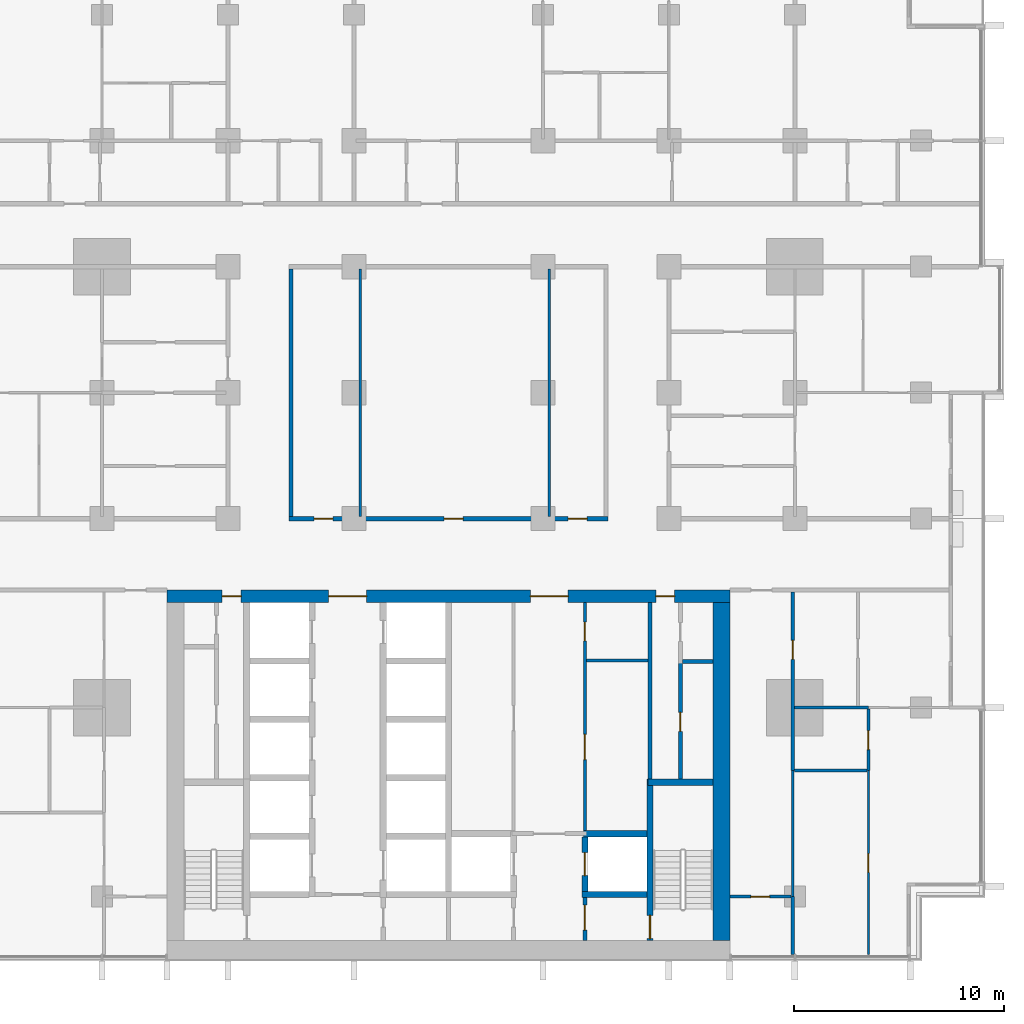
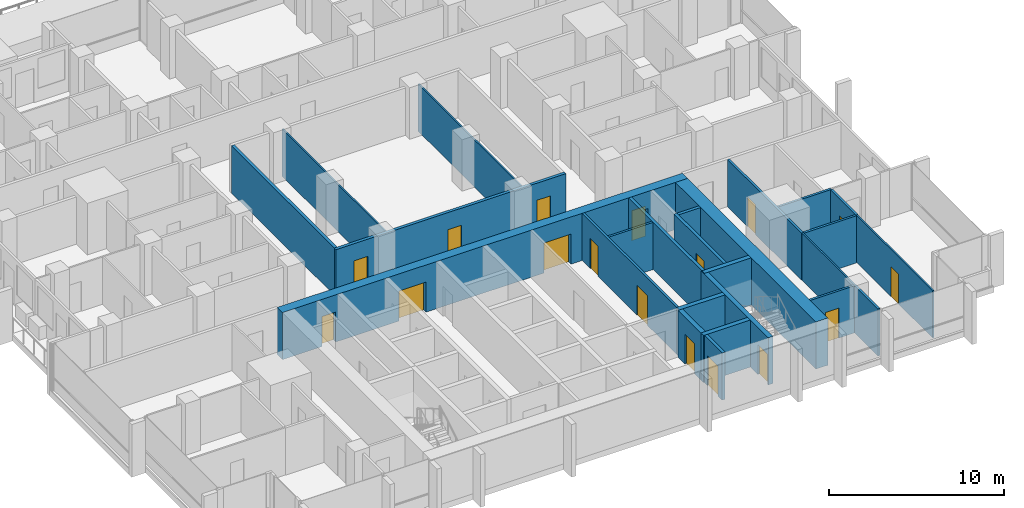
# One storey, part 9 of 19: 25 walls, 17 doors, 17 openings.
"""IFC4 building model written with IfcOpenShell, lengths in metres."""

import ifcopenshell
import ifcopenshell.guid

model = None  # the IFC model being written
_history = None  # IfcOwnerHistory: only IFC2X3 demands one
_inside = {}  # id of a spatial element -> (the spatial element, [elements in it])
_under = {}  # id of a project, library or spatial element -> (it, [spatial elements below it])
_declared = {}  # id of a project -> (the project, [libraries it declares])
_typed = {}  # id of a type object -> (the type object, [elements of that type])
_made_of = {}  # id of a material, layer set ... -> (it, [elements and type objects made of it])


def new_model(schema):
    """Start an empty IFC model of exactly this schema.

    Asked for "IFC4X3", IfcOpenShell would pick the latest addendum, in which some entities
    have other attributes; the version numbers below select the first issue.
    IFC2X3 requires an IfcOwnerHistory on every rooted entity: one is made here for all.
    """
    global model, _history
    if schema == "IFC4X3":
        model = ifcopenshell.file(schema_version=(4, 3, 0, 0))
    else:
        model = ifcopenshell.file(schema=schema)
    _inside.clear()
    _under.clear()
    _declared.clear()
    _typed.clear()
    _made_of.clear()
    _history = None
    if model.schema == "IFC2X3":
        org = make("IfcOrganization", Name="unknown")
        user = make(
            "IfcPersonAndOrganization",
            ThePerson=make("IfcPerson", FamilyName="unknown"),
            TheOrganization=org,
        )
        app = make(
            "IfcApplication",
            ApplicationDeveloper=org,
            Version="unknown",
            ApplicationFullName="unknown",
            ApplicationIdentifier="unknown",
        )
        _history = make(
            "IfcOwnerHistory",
            OwningUser=user,
            OwningApplication=app,
            ChangeAction="ADDED",
            CreationDate=0,
        )
    return model


def make(cls, **values):
    """One entity of the class cls with the attributes given. An attribute that is None is left unset."""
    return model.create_entity(
        cls, **{name: value for name, value in values.items() if value is not None}
    )


def rooted(cls, **values):
    """An entity with a GlobalId (a new one), such as an element, a storey or a relation."""
    return make(cls, GlobalId=ifcopenshell.guid.new(), OwnerHistory=_history, **values)


def si_unit(unit_type, name, prefix=None):
    """IfcSIUnit, for example si_unit("LENGTHUNIT", "METRE", prefix="MILLI")."""
    return make("IfcSIUnit", UnitType=unit_type, Prefix=prefix, Name=name)


def assignment(units):
    """IfcUnitAssignment: the units of a project."""
    return None if units is None else make("IfcUnitAssignment", Units=units)


def point(xyz):
    """IfcCartesianPoint."""
    return None if xyz is None else make("IfcCartesianPoint", Coordinates=xyz)


def direction(xyz):
    """IfcDirection."""
    return None if xyz is None else make("IfcDirection", DirectionRatios=xyz)


def frame(location, z_axis=None, x_axis=None):
    """IfcAxis2Placement3D, a coordinate frame: its origin and axes. An axis left out is left unset."""
    return make(
        "IfcAxis2Placement3D",
        Location=point(location),
        Axis=direction(z_axis),
        RefDirection=direction(x_axis),
    )


def frame_2d(location, x_axis=None):
    """IfcAxis2Placement2D, a coordinate frame in the plane: its origin and x axis."""
    return make(
        "IfcAxis2Placement2D", Location=point(location), RefDirection=direction(x_axis)
    )


def origin():
    """The frame at (0, 0, 0) with its axes left unset."""
    return frame((0.0, 0.0, 0.0))


def place(relative_to, where):
    """IfcLocalPlacement: puts the frame where relative to a parent placement (None: the world)."""
    return make(
        "IfcLocalPlacement", PlacementRelTo=relative_to, RelativePlacement=where
    )


def context(
    kind, dimensions, precision=None, world=None, true_north=None, identifier=None
):
    """IfcGeometricRepresentationContext, for example the 3D "Model" context."""
    return make(
        "IfcGeometricRepresentationContext",
        ContextIdentifier=identifier,
        ContextType=kind,
        CoordinateSpaceDimension=dimensions,
        Precision=precision,
        WorldCoordinateSystem=world,
        TrueNorth=true_north,
    )


def subcontext(parent, identifier, kind, view, scale=None):
    """IfcGeometricRepresentationSubContext, for example "Body" below "Model"."""
    return make(
        "IfcGeometricRepresentationSubContext",
        ContextIdentifier=identifier,
        ContextType=kind,
        ParentContext=parent,
        TargetScale=scale,
        TargetView=view,
    )


def project(units=None, contexts=None):
    """IfcProject with its units and contexts."""
    return rooted(
        "IfcProject",
        Name="project",
        RepresentationContexts=contexts,
        UnitsInContext=assignment(units),
    )


def spatial(cls, under=None, at=None, **own):
    """A site, building, storey or space (cls), placed at a placement, below another one or the project."""
    s = rooted(cls, ObjectPlacement=at, **own)
    if under is not None:
        _under.setdefault(under.id(), (under, []))[1].append(s)
    return s


def profile(cls, at=None, kind="AREA", **sizes):
    """A parametric profile (cls). Its sizes go by their IFC names, for example OverallWidth=200.0."""
    return make(cls, ProfileType=kind, Position=at, **sizes)


def rectangle(**sizes):
    """IfcRectangleProfileDef."""
    return profile("IfcRectangleProfileDef", **sizes)


def extrude(swept, where, along, depth):
    """IfcExtrudedAreaSolid: the profile swept, set in the frame where, extruded along a direction by depth."""
    return make(
        "IfcExtrudedAreaSolid",
        SweptArea=swept,
        Position=where,
        ExtrudedDirection=direction(along),
        Depth=depth,
    )


def shape(context_of_items, identifier, shape_type, items):
    """IfcShapeRepresentation: the items that make up one representation, for example the "Body"."""
    return make(
        "IfcShapeRepresentation",
        ContextOfItems=context_of_items,
        RepresentationIdentifier=identifier,
        RepresentationType=shape_type,
        Items=items,
    )


def material(Name=None, Category=None):
    """IfcMaterial."""
    return make("IfcMaterial", Name=Name, Category=Category)


def layer(
    of_material, thickness, ventilated=None, Name=None, Category=None, Priority=None
):
    """IfcMaterialLayer: one layer of a wall or slab, of a material (None: an air gap)."""
    return make(
        "IfcMaterialLayer",
        Material=of_material,
        LayerThickness=thickness,
        IsVentilated=ventilated,
        Name=Name,
        Category=Category,
        Priority=Priority,
    )


def layer_set(layers, Name=None):
    """IfcMaterialLayerSet."""
    return make("IfcMaterialLayerSet", MaterialLayers=layers, LayerSetName=Name)


def made_of(thing, what):
    """Note that an element or type object is made of a material, layer set ...; save() writes the relation."""
    if what is not None:
        _made_of.setdefault(what.id(), (what, []))[1].append(thing)
    return thing


def type_object(cls, material=None, **own):
    """A type object (cls), such as IfcWallType, which elements share."""
    return made_of(rooted(cls, **own), material)


def element(
    cls,
    number,
    at=None,
    inside=None,
    cuts=None,
    type_object=None,
    material=None,
    context=None,
    identifier="Body",
    shape_type=None,
    held_by="IfcProductDefinitionShape",
    body=None,
    shapes=None,
    **own,
):
    """One element of the class cls, such as IfcWall. Its Tag is "e" and its number.

    at: its placement. inside: the storey or other place that contains it. cuts: it is an
    opening in that element (IfcRelVoidsElement). A single representation is given by context,
    identifier, shape_type and body (its items); several are given by shapes. held_by: the class
    of the entity that holds the representations. save() writes the other relations.
    """
    e = rooted(cls, Tag="e%d" % number, ObjectPlacement=at, **own)
    if body is not None:
        shapes = [shape(context, identifier, shape_type, body)]
    if shapes is not None:
        e.Representation = make(held_by, Representations=shapes)
    if inside is not None:
        _inside.setdefault(inside.id(), (inside, []))[1].append(e)
    if cuts is not None:
        rooted(
            "IfcRelVoidsElement", RelatingBuildingElement=cuts, RelatedOpeningElement=e
        )
    if type_object is not None:
        _typed.setdefault(type_object.id(), (type_object, []))[1].append(e)
    return made_of(e, material)


def fill(opening, filler):
    """IfcRelFillsElement: the door or window that sits in an opening."""
    return rooted(
        "IfcRelFillsElement",
        RelatingOpeningElement=opening,
        RelatedBuildingElement=filler,
    )


def aggregate(whole, parts):
    """IfcRelAggregates: a whole, such as a stair, and the parts it consists of."""
    return rooted("IfcRelAggregates", RelatingObject=whole, RelatedObjects=parts)


def save(model, path):
    """Write the relations noted so far, then the file.

    IfcRelAggregates (storeys below a building ...), IfcRelContainedInSpatialStructure (elements
    in a storey), IfcRelDefinesByType, IfcRelAssociatesMaterial and IfcRelDeclares: one each for
    every whole, place, type object, material and project.
    """
    for whole, parts in _under.values():
        aggregate(whole, parts)
    for where, things in _inside.values():
        rooted(
            "IfcRelContainedInSpatialStructure",
            RelatedElements=things,
            RelatingStructure=where,
        )
    for kind, things in _typed.values():
        rooted("IfcRelDefinesByType", RelatedObjects=things, RelatingType=kind)
    for what, things in _made_of.values():
        rooted("IfcRelAssociatesMaterial", RelatedObjects=things, RelatingMaterial=what)
    for by, libraries in _declared.values():
        rooted("IfcRelDeclares", RelatingContext=by, RelatedDefinitions=libraries)
    model.write(path)


model = new_model("IFC4")

# Units and contexts
model_context = context("Model", 3, precision=1e-05, world=origin(), true_north=direction((0.0, 1.0)))
body_context = subcontext(model_context, "Body", "Model", "MODEL_VIEW")
ifc_project = project(units=[si_unit("LENGTHUNIT", "METRE"), si_unit("AREAUNIT", "SQUARE_METRE"), si_unit("VOLUMEUNIT", "CUBIC_METRE"), si_unit("PLANEANGLEUNIT", "RADIAN"), si_unit("MASSUNIT", "GRAM", prefix="KILO")], contexts=[model_context])

# Site, building, storey
site_placement = place(None, origin())
site = spatial("IfcSite", under=ifc_project, at=site_placement, CompositionType="ELEMENT")
building_placement = place(site_placement, origin())
building = spatial("IfcBuilding", under=site, at=building_placement, Name="Finial Court Residences", CompositionType="ELEMENT")
storey_placement = place(building_placement, frame((0.0, 0.0, 81.10009765625)))
storey = spatial("IfcBuildingStorey", under=building, at=storey_placement, Name="L19", CompositionType="ELEMENT", Elevation=81.10009765625)

# Wall, openings, doors
ifc_material_1 = material(Name="Concrete C70/85", Category="concrete")
ifc_layer_1 = layer(ifc_material_1, 0.60009765625)
ifc_layer_set_1 = layer_set([ifc_layer_1], Name="Core outer wall 600 Concrete C70/85")
wall_type_1 = type_object("IfcWallType", Name="Core outer wall 600 Concrete C70/85", PredefinedType="SHEAR", material=ifc_layer_set_1)
wall_1_placement = place(storey_placement, frame((-13.39990234375, -8.199951171875, 0.0), z_axis=(0.0, 0.0, 1.0), x_axis=(1.0, 0.0, 0.0)))
wall_1 = element("IfcWall", 1, at=wall_1_placement, inside=storey, type_object=wall_type_1, Name="Core outer wall L19-02", PredefinedType="SHEAR", context=body_context, shape_type="SweptSolid", body=[
    extrude(rectangle(XDim=26.7998046875, YDim=0.60009765625, at=frame_2d((13.39990234375, 0.0))), origin(), (0.0, 0.0, 1.0), 3.2998046875),
])
opening_1_placement = place(wall_1_placement, frame((7.699951171875, 0.0, 0.0)))
opening_1 = element("IfcOpeningElement", 2, at=opening_1_placement, cuts=wall_1, Name="Opening L19-C04", PredefinedType="OPENING", context=body_context, shape_type="SweptSolid", body=[
    extrude(rectangle(XDim=1.800048828125, YDim=2.10009765625, at=frame_2d((0.89990234375, 1.050048828125))), frame((0.0, 0.31005859375, 0.0), z_axis=(0.0, -1.0, 0.0), x_axis=(1.0, 0.0, 0.0)), (0.0, 0.0, 1.0), 0.6201171875),
])
opening_2_placement = place(wall_1_placement, frame((17.300048828125, 0.0, 0.0)))
opening_2 = element("IfcOpeningElement", 3, at=opening_2_placement, cuts=wall_1, Name="Opening L19-C05", PredefinedType="OPENING", context=body_context, shape_type="SweptSolid", body=[
    extrude(rectangle(XDim=1.800048828125, YDim=2.10009765625, at=frame_2d((0.89990234375, 1.050048828125))), frame((0.0, 0.31005859375, 0.0), z_axis=(0.0, -1.0, 0.0), x_axis=(1.0, 0.0, 0.0)), (0.0, 0.0, 1.0), 0.6201171875),
])
opening_3_placement = place(wall_1_placement, frame((2.625, 0.0, 0.0)))
opening_3 = element("IfcOpeningElement", 4, at=opening_3_placement, cuts=wall_1, Name="Opening L19-C09", PredefinedType="OPENING", context=body_context, shape_type="SweptSolid", body=[
    extrude(rectangle(XDim=0.89990234375, YDim=2.10009765625, at=frame_2d((0.449951171875, 1.050048828125))), frame((0.0, 0.31005859375, 0.0), z_axis=(0.0, -1.0, 0.0), x_axis=(1.0, 0.0, 0.0)), (0.0, 0.0, 1.0), 0.6201171875),
])
opening_4_placement = place(wall_1_placement, frame((23.27490234375, 0.0, 0.0)))
opening_4 = element("IfcOpeningElement", 5, at=opening_4_placement, cuts=wall_1, Name="Opening L19-C10", PredefinedType="OPENING", context=body_context, shape_type="SweptSolid", body=[
    extrude(rectangle(XDim=0.89990234375, YDim=2.10009765625, at=frame_2d((0.449951171875, 1.050048828125))), frame((0.0, 0.31005859375, 0.0), z_axis=(0.0, -1.0, 0.0), x_axis=(1.0, 0.0, 0.0)), (0.0, 0.0, 1.0), 0.6201171875),
])
ifc_material_2 = material(Name="Steel fire door", Category="steel")
door_type_1 = type_object("IfcDoorType", Name="Lift lobby door 1800 x 2100 EI 60", OperationType="DOUBLE_DOOR_SINGLE_SWING", PredefinedType="DOOR", material=ifc_material_2)
door_1_placement = place(opening_1_placement, origin())
door_1 = element("IfcDoor", 6, at=door_1_placement, inside=storey, type_object=door_type_1, Name="Lift lobby door L19-C04", OperationType="DOUBLE_DOOR_SINGLE_SWING", OverallHeight=2.10009765625, OverallWidth=1.800048828125, PredefinedType="DOOR", context=body_context, shape_type="SweptSolid", body=[
    extrude(rectangle(XDim=1.800048828125, YDim=2.10009765625, at=frame_2d((0.89990234375, 1.050048828125))), frame((0.0, 0.02490234375, 0.0), z_axis=(0.0, -1.0, 0.0), x_axis=(1.0, 0.0, 0.0)), (0.0, 0.0, 1.0), 0.050048828125),
])
fill(opening_1, door_1)
door_2_placement = place(opening_2_placement, origin())
door_2 = element("IfcDoor", 7, at=door_2_placement, inside=storey, type_object=door_type_1, Name="Lift lobby door L19-C05", OperationType="DOUBLE_DOOR_SINGLE_SWING", OverallHeight=2.10009765625, OverallWidth=1.800048828125, PredefinedType="DOOR", context=body_context, shape_type="SweptSolid", body=[
    extrude(rectangle(XDim=1.800048828125, YDim=2.10009765625, at=frame_2d((0.89990234375, 1.050048828125))), frame((0.0, 0.02490234375, 0.0), z_axis=(0.0, -1.0, 0.0), x_axis=(1.0, 0.0, 0.0)), (0.0, 0.0, 1.0), 0.050048828125),
])
fill(opening_2, door_2)
door_type_2 = type_object("IfcDoorType", Name="Riser room door 900 x 2100 EI 90", OperationType="NOTDEFINED", PredefinedType="DOOR", material=ifc_material_2)
door_3_placement = place(opening_3_placement, origin())
door_3 = element("IfcDoor", 8, at=door_3_placement, inside=storey, type_object=door_type_2, Name="Riser room door L19-C09", OperationType="SINGLE_SWING_RIGHT", OverallHeight=2.10009765625, OverallWidth=0.89990234375, PredefinedType="DOOR", context=body_context, shape_type="SweptSolid", body=[
    extrude(rectangle(XDim=0.89990234375, YDim=2.10009765625, at=frame_2d((0.449951171875, 1.050048828125))), frame((0.0, 0.02490234375, 0.0), z_axis=(0.0, -1.0, 0.0), x_axis=(1.0, 0.0, 0.0)), (0.0, 0.0, 1.0), 0.050048828125),
])
fill(opening_3, door_3)
door_4_placement = place(opening_4_placement, origin())
door_4 = element("IfcDoor", 9, at=door_4_placement, inside=storey, type_object=door_type_2, Name="Riser room door L19-C10", OperationType="SINGLE_SWING_LEFT", OverallHeight=2.10009765625, OverallWidth=0.89990234375, PredefinedType="DOOR", context=body_context, shape_type="SweptSolid", body=[
    extrude(rectangle(XDim=0.89990234375, YDim=2.10009765625, at=frame_2d((0.449951171875, 1.050048828125))), frame((0.0, 0.02490234375, 0.0), z_axis=(0.0, -1.0, 0.0), x_axis=(1.0, 0.0, 0.0)), (0.0, 0.0, 1.0), 0.050048828125),
])
fill(opening_4, door_4)

# Walls
ifc_layer_2 = layer(ifc_material_1, 0.800048828125)
ifc_layer_set_2 = layer_set([ifc_layer_2], Name="Core outer wall 800 Concrete C70/85")
wall_type_2 = type_object("IfcWallType", Name="Core outer wall 800 Concrete C70/85", PredefinedType="SHEAR", material=ifc_layer_set_2)
wall_2_placement = place(storey_placement, frame((13.0, -24.60009765625, 0.0), z_axis=(0.0, 0.0, 1.0), x_axis=(0.0, 1.0, 0.0)))
element("IfcWall", 10, at=wall_2_placement, inside=storey, type_object=wall_type_2, Name="Core outer wall L19-04", PredefinedType="SHEAR", context=body_context, shape_type="SweptSolid", body=[
    extrude(rectangle(XDim=16.10009765625, YDim=0.800048828125, at=frame_2d((8.050048828125, 0.0))), origin(), (0.0, 0.0, 1.0), 3.2998046875),
])
ifc_material_3 = material(Name="Fire-rated gypsum board partition")
ifc_layer_3 = layer(ifc_material_3, 0.14990234375)
ifc_layer_set_3 = layer_set([ifc_layer_3], Name="Core room partition 150 EI 60")
wall_type_3 = type_object("IfcWallType", Name="Core room partition 150 EI 60", PredefinedType="PARTITIONING", material=ifc_layer_set_3)
wall_3_placement = place(storey_placement, frame((6.574951171875, -11.25, 0.0), z_axis=(0.0, 0.0, 1.0), x_axis=(1.0, 0.0, 0.0)))
element("IfcWall", 11, at=wall_3_placement, inside=storey, type_object=wall_type_3, Name="Core partition L19-19", PredefinedType="PARTITIONING", context=body_context, shape_type="SweptSolid", body=[
    extrude(rectangle(XDim=2.925048828125, YDim=0.14990234375, at=frame_2d((1.46240234375, 0.0))), origin(), (0.0, 0.0, 1.0), 3.2998046875),
])

# Wall, openings, doors
wall_4_placement = place(storey_placement, frame((6.5, -8.5, 0.0), z_axis=(0.0, 0.0, 1.0), x_axis=(0.0, -1.0, 0.0)))
wall_4 = element("IfcWall", 12, at=wall_4_placement, inside=storey, type_object=wall_type_3, Name="Core partition L19-35", PredefinedType="PARTITIONING", context=body_context, shape_type="SweptSolid", body=[
    extrude(rectangle(XDim=10.85009765625, YDim=0.14990234375, at=frame_2d((5.425048828125, 0.0))), origin(), (0.0, 0.0, 1.0), 3.2998046875),
])
opening_5_placement = place(wall_4_placement, frame((6.27490234375, 0.0, 0.0)))
opening_5 = element("IfcOpeningElement", 13, at=opening_5_placement, cuts=wall_4, Name="Opening L19-C15", PredefinedType="OPENING", context=body_context, shape_type="SweptSolid", body=[
    extrude(rectangle(XDim=1.199951171875, YDim=2.10009765625, at=frame_2d((0.60009765625, 1.050048828125))), frame((0.0, 0.0849609375, 0.0), z_axis=(0.0, -1.0, 0.0), x_axis=(1.0, 0.0, 0.0)), (0.0, 0.0, 1.0), 0.169921875),
])
opening_6_placement = place(wall_4_placement, frame((0.925048828125, 0.0, 0.0)))
opening_6 = element("IfcOpeningElement", 14, at=opening_6_placement, cuts=wall_4, Name="Opening L19-C16", PredefinedType="OPENING", context=body_context, shape_type="SweptSolid", body=[
    extrude(rectangle(XDim=0.89990234375, YDim=2.10009765625, at=frame_2d((0.449951171875, 1.050048828125))), frame((0.0, 0.0849609375, 0.0), z_axis=(0.0, -1.0, 0.0), x_axis=(1.0, 0.0, 0.0)), (0.0, 0.0, 1.0), 0.169921875),
])
door_type_3 = type_object("IfcDoorType", Name="Core room door 1200 x 2100 EI 60", OperationType="NOTDEFINED", PredefinedType="DOOR", material=ifc_material_2)
door_5_placement = place(opening_5_placement, origin())
door_5 = element("IfcDoor", 15, at=door_5_placement, inside=storey, type_object=door_type_3, Name="Core room door L19-C15", OperationType="SINGLE_SWING_RIGHT", OverallHeight=2.10009765625, OverallWidth=1.199951171875, PredefinedType="DOOR", context=body_context, shape_type="SweptSolid", body=[
    extrude(rectangle(XDim=1.199951171875, YDim=2.10009765625, at=frame_2d((0.60009765625, 1.050048828125))), frame((0.0, 0.02490234375, 0.0), z_axis=(0.0, -1.0, 0.0), x_axis=(1.0, 0.0, 0.0)), (0.0, 0.0, 1.0), 0.050048828125),
])
fill(opening_5, door_5)
door_type_4 = type_object("IfcDoorType", Name="Core room door 900 x 2100 EI 60", OperationType="NOTDEFINED", PredefinedType="DOOR", material=ifc_material_2)
door_6_placement = place(opening_6_placement, origin())
door_6 = element("IfcDoor", 16, at=door_6_placement, inside=storey, type_object=door_type_4, Name="Core room door L19-C16", OperationType="SINGLE_SWING_RIGHT", OverallHeight=2.10009765625, OverallWidth=0.89990234375, PredefinedType="DOOR", context=body_context, shape_type="SweptSolid", body=[
    extrude(rectangle(XDim=0.89990234375, YDim=2.10009765625, at=frame_2d((0.449951171875, 1.050048828125))), frame((0.0, 0.02490234375, 0.0), z_axis=(0.0, -1.0, 0.0), x_axis=(1.0, 0.0, 0.0)), (0.0, 0.0, 1.0), 0.050048828125),
])
fill(opening_6, door_6)

ifc_material_4 = material(Name="Gypsum board")
ifc_layer_4 = layer(ifc_material_4, 0.02490234375)
ifc_material_5 = material(Name="Acoustic mineral wool in double frame")
ifc_layer_5 = layer(ifc_material_5, 0.14990234375)
ifc_layer_6 = layer(ifc_material_4, 0.02490234375)
ifc_layer_set_4 = layer_set([ifc_layer_4, ifc_layer_5, ifc_layer_6], Name="Corridor wall 200, 1 hour")
wall_type_4 = type_object("IfcWallType", Name="Corridor wall 200, 1 hour", PredefinedType="PARTITIONING", material=ifc_layer_set_4)
wall_5_placement = place(storey_placement, frame((-7.60009765625, -4.5, 0.0), z_axis=(0.0, 0.0, 1.0), x_axis=(1.0, 0.0, 0.0)))
wall_5 = element("IfcWall", 17, at=wall_5_placement, inside=storey, type_object=wall_type_4, Name="Partition L19-012", PredefinedType="PARTITIONING", context=body_context, shape_type="SweptSolid", body=[
    extrude(rectangle(XDim=15.2001953125, YDim=0.199951171875, at=frame_2d((7.60009765625, 0.0))), origin(), (0.0, 0.0, 1.0), 3.2998046875),
])
opening_7_placement = place(wall_5_placement, frame((1.199951171875, 0.0, 0.0)))
opening_7 = element("IfcOpeningElement", 18, at=opening_7_placement, cuts=wall_5, Name="Opening L19-D007", PredefinedType="OPENING", context=body_context, shape_type="SweptSolid", body=[
    extrude(rectangle(XDim=0.89990234375, YDim=2.10009765625, at=frame_2d((0.449951171875, 1.050048828125))), frame((0.0, 0.10986328125, 0.0), z_axis=(0.0, -1.0, 0.0), x_axis=(1.0, 0.0, 0.0)), (0.0, 0.0, 1.0), 0.219970703125),
])
opening_8_placement = place(wall_5_placement, frame((7.39990234375, 0.0, 0.0)))
opening_8 = element("IfcOpeningElement", 19, at=opening_8_placement, cuts=wall_5, Name="Opening L19-D008", PredefinedType="OPENING", context=body_context, shape_type="SweptSolid", body=[
    extrude(rectangle(XDim=0.89990234375, YDim=2.10009765625, at=frame_2d((0.449951171875, 1.050048828125))), frame((0.0, 0.10986328125, 0.0), z_axis=(0.0, -1.0, 0.0), x_axis=(1.0, 0.0, 0.0)), (0.0, 0.0, 1.0), 0.219970703125),
])
opening_9_placement = place(wall_5_placement, frame((13.300048828125, 0.0, 0.0)))
opening_9 = element("IfcOpeningElement", 20, at=opening_9_placement, cuts=wall_5, Name="Opening L19-D009", PredefinedType="OPENING", context=body_context, shape_type="SweptSolid", body=[
    extrude(rectangle(XDim=0.89990234375, YDim=2.10009765625, at=frame_2d((0.449951171875, 1.050048828125))), frame((0.0, 0.10986328125, 0.0), z_axis=(0.0, -1.0, 0.0), x_axis=(1.0, 0.0, 0.0)), (0.0, 0.0, 1.0), 0.219970703125),
])
ifc_material_6 = material(Name="Timber door leaf in hollow metal frame", Category="wood")
door_type_5 = type_object("IfcDoorType", Name="Fire door set 900 x 2100, 30 minutes", OperationType="SINGLE_SWING_LEFT", PredefinedType="DOOR", material=ifc_material_6)
door_7_placement = place(opening_7_placement, origin())
door_7 = element("IfcDoor", 21, at=door_7_placement, inside=storey, type_object=door_type_5, Name="Door L19-D007", OperationType="SINGLE_SWING_RIGHT", OverallHeight=2.10009765625, OverallWidth=0.89990234375, PredefinedType="DOOR", context=body_context, shape_type="SweptSolid", body=[
    extrude(rectangle(XDim=0.89990234375, YDim=2.10009765625, at=frame_2d((0.449951171875, 1.050048828125))), frame((0.0, 0.02490234375, 0.0), z_axis=(0.0, -1.0, 0.0), x_axis=(1.0, 0.0, 0.0)), (0.0, 0.0, 1.0), 0.050048828125),
])
fill(opening_7, door_7)
door_8_placement = place(opening_8_placement, origin())
door_8 = element("IfcDoor", 22, at=door_8_placement, inside=storey, type_object=door_type_5, Name="Door L19-D008", OperationType="SINGLE_SWING_LEFT", OverallHeight=2.10009765625, OverallWidth=0.89990234375, PredefinedType="DOOR", context=body_context, shape_type="SweptSolid", body=[
    extrude(rectangle(XDim=0.89990234375, YDim=2.10009765625, at=frame_2d((0.449951171875, 1.050048828125))), frame((0.0, 0.02490234375, 0.0), z_axis=(0.0, -1.0, 0.0), x_axis=(1.0, 0.0, 0.0)), (0.0, 0.0, 1.0), 0.050048828125),
])
fill(opening_8, door_8)
door_9_placement = place(opening_9_placement, origin())
door_9 = element("IfcDoor", 23, at=door_9_placement, inside=storey, type_object=door_type_5, Name="Door L19-D009", OperationType="SINGLE_SWING_LEFT", OverallHeight=2.10009765625, OverallWidth=0.89990234375, PredefinedType="DOOR", context=body_context, shape_type="SweptSolid", body=[
    extrude(rectangle(XDim=0.89990234375, YDim=2.10009765625, at=frame_2d((0.449951171875, 1.050048828125))), frame((0.0, 0.02490234375, 0.0), z_axis=(0.0, -1.0, 0.0), x_axis=(1.0, 0.0, 0.0)), (0.0, 0.0, 1.0), 0.050048828125),
])
fill(opening_9, door_9)

# Wall
wall_6_placement = place(storey_placement, frame((-7.5, -4.39990234375, 0.0), z_axis=(0.0, 0.0, 1.0), x_axis=(0.0, 1.0, 0.0)))
element("IfcWall", 24, at=wall_6_placement, inside=storey, type_object=wall_type_4, Name="Partition L19-058", PredefinedType="PARTITIONING", context=body_context, shape_type="SweptSolid", body=[
    extrude(rectangle(XDim=11.7998046875, YDim=0.199951171875, at=frame_2d((5.89990234375, 0.0))), origin(), (0.0, 0.0, 1.0), 3.2998046875),
])

# Wall, opening, door
ifc_layer_7 = layer(ifc_material_3, 0.199951171875)
ifc_layer_set_5 = layer_set([ifc_layer_7], Name="Firefighting lobby wall 200 EI 120")
wall_type_5 = type_object("IfcWallType", Name="Firefighting lobby wall 200 EI 120", PredefinedType="PARTITIONING", material=ifc_layer_set_5)
wall_7_placement = place(storey_placement, frame((6.5, -22.550048828125, 0.0), z_axis=(0.0, 0.0, 1.0), x_axis=(0.0, -1.0, 0.0)))
wall_7 = element("IfcWall", 25, at=wall_7_placement, inside=storey, type_object=wall_type_5, Name="Core partition L19-33", PredefinedType="PARTITIONING", context=body_context, shape_type="SweptSolid", body=[
    extrude(rectangle(XDim=2.050048828125, YDim=0.199951171875, at=frame_2d((1.02490234375, 0.0))), origin(), (0.0, 0.0, 1.0), 3.2998046875),
])
opening_10_placement = place(wall_7_placement, frame((0.35009765625, 0.0, 0.0)))
opening_10 = element("IfcOpeningElement", 26, at=opening_10_placement, cuts=wall_7, Name="Opening L19-C01", PredefinedType="OPENING", context=body_context, shape_type="SweptSolid", body=[
    extrude(rectangle(XDim=1.199951171875, YDim=2.10009765625, at=frame_2d((0.60009765625, 1.050048828125))), frame((0.0, 0.10986328125, 0.0), z_axis=(0.0, -1.0, 0.0), x_axis=(1.0, 0.0, 0.0)), (0.0, 0.0, 1.0), 0.219970703125),
])
door_type_6 = type_object("IfcDoorType", Name="Firefighting lobby door 1200 x 2100 EI 90", OperationType="NOTDEFINED", PredefinedType="DOOR", material=ifc_material_2)
door_10_placement = place(opening_10_placement, origin())
door_10 = element("IfcDoor", 27, at=door_10_placement, inside=storey, type_object=door_type_6, Name="Firefighting lobby door L19-C01", OperationType="SINGLE_SWING_RIGHT", OverallHeight=2.10009765625, OverallWidth=1.199951171875, PredefinedType="DOOR", context=body_context, shape_type="SweptSolid", body=[
    extrude(rectangle(XDim=1.199951171875, YDim=2.10009765625, at=frame_2d((0.60009765625, 1.050048828125))), frame((0.0, 0.02490234375, 0.0), z_axis=(0.0, -1.0, 0.0), x_axis=(1.0, 0.0, 0.0)), (0.0, 0.0, 1.0), 0.050048828125),
])
fill(opening_10, door_10)

# Walls
ifc_layer_8 = layer(ifc_material_4, 0.012451171875)
ifc_material_7 = material(Name="Mineral wool in light-gauge frame")
ifc_layer_9 = layer(ifc_material_7, 0.074951171875)
ifc_layer_10 = layer(ifc_material_4, 0.012451171875)
ifc_layer_set_6 = layer_set([ifc_layer_8, ifc_layer_9, ifc_layer_10], Name="Gypsum board partition 100")
wall_type_6 = type_object("IfcWallType", Name="Gypsum board partition 100", PredefinedType="PARTITIONING", material=ifc_layer_set_6)
for number, where, z_axis, x_axis, name in (
    (28, (-4.199951171875, -4.39990234375, 0.0), (0.0, 0.0, 1.0), (0.0, 1.0, 0.0), "Partition L19-061"),
    (29, (4.800048828125, -4.39990234375, 0.0), (0.0, 0.0, 1.0), (0.0, 1.0, 0.0), "Partition L19-066"),
):
    element("IfcWall", number, at=place(storey_placement, frame(where, z_axis=z_axis, x_axis=x_axis)), inside=storey, type_object=wall_type_6, Name=name, PredefinedType="PARTITIONING", context=body_context, shape_type="SweptSolid", body=[
        extrude(rectangle(XDim=11.7998046875, YDim=0.10009765625, at=frame_2d((5.89990234375, 0.0))), origin(), (0.0, 0.0, 1.0), 3.2998046875),
    ])
wall_8_placement = place(storey_placement, frame((16.39990234375, -22.5, 0.0), z_axis=(0.0, 0.0, 1.0), x_axis=(0.0, 1.0, 0.0)))
element("IfcWall", 30, at=wall_8_placement, inside=storey, type_object=wall_type_6, Name="Partition L19-072", PredefinedType="PARTITIONING", context=body_context, shape_type="SweptSolid", body=[
    extrude(rectangle(XDim=6.0, YDim=0.10009765625, at=frame_2d((3.0, 0.0))), origin(), (0.0, 0.0, 1.0), 3.2998046875),
])

# Wall, opening, door
wall_9_placement = place(storey_placement, frame((20.0, -25.25, 0.0), z_axis=(0.0, 0.0, 1.0), x_axis=(0.0, 1.0, 0.0)))
wall_9 = element("IfcWall", 31, at=wall_9_placement, inside=storey, type_object=wall_type_6, Name="Partition L19-084", PredefinedType="PARTITIONING", context=body_context, shape_type="SweptSolid", body=[
    extrude(rectangle(XDim=8.75, YDim=0.10009765625, at=frame_2d((4.375, 0.0))), origin(), (0.0, 0.0, 1.0), 3.2998046875),
])
opening_11_placement = place(wall_9_placement, frame((3.89990234375, 0.0, 0.0)))
opening_11 = element("IfcOpeningElement", 32, at=opening_11_placement, cuts=wall_9, Name="Opening L19-D052", PredefinedType="OPENING", context=body_context, shape_type="SweptSolid", body=[
    extrude(rectangle(XDim=0.89990234375, YDim=2.10009765625, at=frame_2d((0.449951171875, 1.050048828125))), frame((0.0, 0.06005859375, 0.0), z_axis=(0.0, -1.0, 0.0), x_axis=(1.0, 0.0, 0.0)), (0.0, 0.0, 1.0), 0.1201171875),
])
ifc_material_8 = material(Name="Timber door leaf in timber frame", Category="wood")
door_type_7 = type_object("IfcDoorType", Name="Door set 900 x 2100", OperationType="SINGLE_SWING_LEFT", PredefinedType="DOOR", material=ifc_material_8)
door_11_placement = place(opening_11_placement, origin())
door_11 = element("IfcDoor", 33, at=door_11_placement, inside=storey, type_object=door_type_7, Name="Door L19-D052", OperationType="SINGLE_SWING_RIGHT", OverallHeight=2.10009765625, OverallWidth=0.89990234375, PredefinedType="DOOR", context=body_context, shape_type="SweptSolid", body=[
    extrude(rectangle(XDim=0.89990234375, YDim=2.10009765625, at=frame_2d((0.449951171875, 1.050048828125))), frame((0.0, 0.02490234375, 0.0), z_axis=(0.0, -1.0, 0.0), x_axis=(1.0, 0.0, 0.0)), (0.0, 0.0, 1.0), 0.050048828125),
])
fill(opening_11, door_11)

ifc_material_9 = material(Name="Moisture-resistant gypsum board")
ifc_layer_11 = layer(ifc_material_9, 0.012451171875)
ifc_layer_12 = layer(ifc_material_7, 0.125)
ifc_layer_13 = layer(ifc_material_9, 0.012451171875)
ifc_layer_set_7 = layer_set([ifc_layer_11, ifc_layer_12, ifc_layer_13], Name="Gypsum board wet-area partition 150")
wall_type_7 = type_object("IfcWallType", Name="Gypsum board wet-area partition 150", PredefinedType="PARTITIONING", material=ifc_layer_set_7)
wall_10_placement = place(storey_placement, frame((13.39990234375, -22.5, 0.0), z_axis=(0.0, 0.0, 1.0), x_axis=(1.0, 0.0, 0.0)))
wall_10 = element("IfcWall", 34, at=wall_10_placement, inside=storey, type_object=wall_type_7, Name="Partition L19-001", PredefinedType="PARTITIONING", context=body_context, shape_type="SweptSolid", body=[
    extrude(rectangle(XDim=2.925048828125, YDim=0.14990234375, at=frame_2d((1.46240234375, 0.0))), origin(), (0.0, 0.0, 1.0), 3.2998046875),
])
opening_12_placement = place(wall_10_placement, frame((1.0, 0.0, 0.0)))
opening_12 = element("IfcOpeningElement", 35, at=opening_12_placement, cuts=wall_10, Name="Opening L19-D002", PredefinedType="OPENING", context=body_context, shape_type="SweptSolid", body=[
    extrude(rectangle(XDim=0.89990234375, YDim=2.10009765625, at=frame_2d((0.449951171875, 1.050048828125))), frame((0.0, 0.0849609375, 0.0), z_axis=(0.0, -1.0, 0.0), x_axis=(1.0, 0.0, 0.0)), (0.0, 0.0, 1.0), 0.169921875),
])
door_12_placement = place(opening_12_placement, origin())
door_12 = element("IfcDoor", 36, at=door_12_placement, inside=storey, type_object=door_type_7, Name="Door L19-D002", OperationType="SINGLE_SWING_LEFT", OverallHeight=2.10009765625, OverallWidth=0.89990234375, PredefinedType="DOOR", context=body_context, shape_type="SweptSolid", body=[
    extrude(rectangle(XDim=0.89990234375, YDim=2.10009765625, at=frame_2d((0.449951171875, 1.050048828125))), frame((0.0, 0.02490234375, 0.0), z_axis=(0.0, -1.0, 0.0), x_axis=(1.0, 0.0, 0.0)), (0.0, 0.0, 1.0), 0.050048828125),
])
fill(opening_12, door_12)

# Walls
wall_11_placement = place(storey_placement, frame((16.47509765625, -16.5, 0.0), z_axis=(0.0, 0.0, 1.0), x_axis=(1.0, 0.0, 0.0)))
element("IfcWall", 37, at=wall_11_placement, inside=storey, type_object=wall_type_7, Name="Partition L19-004", PredefinedType="PARTITIONING", context=body_context, shape_type="SweptSolid", body=[
    extrude(rectangle(XDim=3.449951171875, YDim=0.14990234375, at=frame_2d((1.72509765625, 0.0))), origin(), (0.0, 0.0, 1.0), 3.2998046875),
])
wall_12_placement = place(storey_placement, frame((16.47509765625, -13.5, 0.0), z_axis=(0.0, 0.0, 1.0), x_axis=(1.0, 0.0, 0.0)))
element("IfcWall", 38, at=wall_12_placement, inside=storey, type_object=wall_type_7, Name="Partition L19-008", PredefinedType="PARTITIONING", context=body_context, shape_type="SweptSolid", body=[
    extrude(rectangle(XDim=3.52490234375, YDim=0.14990234375, at=frame_2d((1.762451171875, 0.0))), origin(), (0.0, 0.0, 1.0), 3.2998046875),
])
wall_13_placement = place(storey_placement, frame((16.39990234375, -25.25, 0.0), z_axis=(0.0, 0.0, 1.0), x_axis=(0.0, 1.0, 0.0)))
element("IfcWall", 39, at=wall_13_placement, inside=storey, type_object=wall_type_7, Name="Partition L19-073", PredefinedType="PARTITIONING", context=body_context, shape_type="SweptSolid", body=[
    extrude(rectangle(XDim=2.75, YDim=0.14990234375, at=frame_2d((1.375, 0.0))), origin(), (0.0, 0.0, 1.0), 3.2998046875),
])

# Wall, opening, door
wall_14_placement = place(storey_placement, frame((16.39990234375, -16.5, 0.0), z_axis=(0.0, 0.0, 1.0), x_axis=(0.0, 1.0, 0.0)))
wall_14 = element("IfcWall", 40, at=wall_14_placement, inside=storey, type_object=wall_type_7, Name="Partition L19-074", PredefinedType="PARTITIONING", context=body_context, shape_type="SweptSolid", body=[
    extrude(rectangle(XDim=8.5, YDim=0.14990234375, at=frame_2d((4.25, 0.0))), origin(), (0.0, 0.0, 1.0), 3.2998046875),
])
opening_13_placement = place(wall_14_placement, frame((5.300048828125, 0.0, 0.0)))
opening_13 = element("IfcOpeningElement", 41, at=opening_13_placement, cuts=wall_14, Name="Opening L19-D047", PredefinedType="OPENING", context=body_context, shape_type="SweptSolid", body=[
    extrude(rectangle(XDim=0.89990234375, YDim=2.10009765625, at=frame_2d((0.449951171875, 1.050048828125))), frame((0.0, 0.0849609375, 0.0), z_axis=(0.0, -1.0, 0.0), x_axis=(1.0, 0.0, 0.0)), (0.0, 0.0, 1.0), 0.169921875),
])
door_13_placement = place(opening_13_placement, origin())
door_13 = element("IfcDoor", 42, at=door_13_placement, inside=storey, type_object=door_type_7, Name="Door L19-D047", OperationType="SINGLE_SWING_RIGHT", OverallHeight=2.10009765625, OverallWidth=0.89990234375, PredefinedType="DOOR", context=body_context, shape_type="SweptSolid", body=[
    extrude(rectangle(XDim=0.89990234375, YDim=2.10009765625, at=frame_2d((0.449951171875, 1.050048828125))), frame((0.0, 0.02490234375, 0.0), z_axis=(0.0, -1.0, 0.0), x_axis=(1.0, 0.0, 0.0)), (0.0, 0.0, 1.0), 0.050048828125),
])
fill(opening_13, door_13)

wall_15_placement = place(storey_placement, frame((20.0, -16.5, 0.0), z_axis=(0.0, 0.0, 1.0), x_axis=(0.0, 1.0, 0.0)))
wall_15 = element("IfcWall", 43, at=wall_15_placement, inside=storey, type_object=wall_type_7, Name="Partition L19-085", PredefinedType="PARTITIONING", context=body_context, shape_type="SweptSolid", body=[
    extrude(rectangle(XDim=2.925048828125, YDim=0.14990234375, at=frame_2d((1.46240234375, 0.0))), origin(), (0.0, 0.0, 1.0), 3.2998046875),
])
opening_14_placement = place(wall_15_placement, frame((1.0, 0.0, 0.0)))
opening_14 = element("IfcOpeningElement", 44, at=opening_14_placement, cuts=wall_15, Name="Opening L19-D053", PredefinedType="OPENING", context=body_context, shape_type="SweptSolid", body=[
    extrude(rectangle(XDim=0.89990234375, YDim=2.10009765625, at=frame_2d((0.449951171875, 1.050048828125))), frame((0.0, 0.0849609375, 0.0), z_axis=(0.0, -1.0, 0.0), x_axis=(1.0, 0.0, 0.0)), (0.0, 0.0, 1.0), 0.169921875),
])
door_14_placement = place(opening_14_placement, origin())
door_14 = element("IfcDoor", 45, at=door_14_placement, inside=storey, type_object=door_type_7, Name="Door L19-D053", OperationType="SINGLE_SWING_LEFT", OverallHeight=2.10009765625, OverallWidth=0.89990234375, PredefinedType="DOOR", context=body_context, shape_type="SweptSolid", body=[
    extrude(rectangle(XDim=0.89990234375, YDim=2.10009765625, at=frame_2d((0.449951171875, 1.050048828125))), frame((0.0, 0.02490234375, 0.0), z_axis=(0.0, -1.0, 0.0), x_axis=(1.0, 0.0, 0.0)), (0.0, 0.0, 1.0), 0.050048828125),
])
fill(opening_14, door_14)

# Walls
ifc_layer_14 = layer(ifc_material_1, 0.300048828125)
ifc_layer_set_8 = layer_set([ifc_layer_14], Name="Lift shaft and stair wall 300 Concrete C70/85")
wall_type_8 = type_object("IfcWallType", Name="Lift shaft and stair wall 300 Concrete C70/85", PredefinedType="SHEAR", material=ifc_layer_set_8)
wall_16_placement = place(storey_placement, frame((6.35009765625, -22.39990234375, 0.0), z_axis=(0.0, 0.0, 1.0), x_axis=(1.0, 0.0, 0.0)))
element("IfcWall", 46, at=wall_16_placement, inside=storey, type_object=wall_type_8, Name="Core wall L19-04", PredefinedType="SHEAR", context=body_context, shape_type="SweptSolid", body=[
    extrude(rectangle(XDim=3.099853515625, YDim=0.300048828125, at=frame_2d((1.5498046875, 0.0))), origin(), (0.0, 0.0, 1.0), 3.2998046875),
])
wall_17_placement = place(storey_placement, frame((6.425048828125, -19.5, 0.0), z_axis=(0.0, 0.0, 1.0), x_axis=(1.0, 0.0, 0.0)))
element("IfcWall", 47, at=wall_17_placement, inside=storey, type_object=wall_type_8, Name="Core wall L19-09", PredefinedType="SHEAR", context=body_context, shape_type="SweptSolid", body=[
    extrude(rectangle(XDim=3.02490234375, YDim=0.300048828125, at=frame_2d((1.512451171875, 0.0))), origin(), (0.0, 0.0, 1.0), 3.2998046875),
])
wall_18_placement = place(storey_placement, frame((9.5, -17.050048828125, 0.0), z_axis=(0.0, 0.0, 1.0), x_axis=(1.0, 0.0, 0.0)))
element("IfcWall", 48, at=wall_18_placement, inside=storey, type_object=wall_type_8, Name="Core wall L19-11", PredefinedType="SHEAR", context=body_context, shape_type="SweptSolid", body=[
    extrude(rectangle(XDim=3.10009765625, YDim=0.300048828125, at=frame_2d((1.550048828125, 0.0))), origin(), (0.0, 0.0, 1.0), 3.2998046875),
])

# Wall, opening, door
wall_19_placement = place(storey_placement, frame((6.5, -22.25, 0.0), z_axis=(0.0, 0.0, 1.0), x_axis=(0.0, 1.0, 0.0)))
wall_19 = element("IfcWall", 49, at=wall_19_placement, inside=storey, type_object=wall_type_8, Name="Core wall L19-34", PredefinedType="SHEAR", context=body_context, shape_type="SweptSolid", body=[
    extrude(rectangle(XDim=2.60009765625, YDim=0.300048828125, at=frame_2d((1.300048828125, 0.0))), origin(), (0.0, 0.0, 1.0), 3.2998046875),
])
opening_15_placement = place(wall_19_placement, frame((0.75, 0.0, 0.0)))
opening_15 = element("IfcOpeningElement", 50, at=opening_15_placement, cuts=wall_19, Name="Opening L19-LD02", PredefinedType="OPENING", context=body_context, shape_type="SweptSolid", body=[
    extrude(rectangle(XDim=1.10009765625, YDim=2.10009765625, at=frame_2d((0.550048828125, 1.050048828125))), frame((0.0, 0.159912109375, 0.0), z_axis=(0.0, -1.0, 0.0), x_axis=(1.0, 0.0, 0.0)), (0.0, 0.0, 1.0), 0.320068359375),
])
ifc_material_10 = material(Name="Stainless steel lift door", Category="steel")
door_type_8 = type_object("IfcDoorType", Name="Lift landing door 1100 x 2100 EI 90", OperationType="DOUBLE_DOOR_SLIDING", PredefinedType="DOOR", material=ifc_material_10)
door_15_placement = place(opening_15_placement, origin())
door_15 = element("IfcDoor", 51, at=door_15_placement, inside=storey, type_object=door_type_8, Name="Lift landing door FF2 L19", OperationType="DOUBLE_DOOR_SLIDING", OverallHeight=2.10009765625, OverallWidth=1.10009765625, PredefinedType="DOOR", context=body_context, shape_type="SweptSolid", body=[
    extrude(rectangle(XDim=1.10009765625, YDim=2.10009765625, at=frame_2d((0.550048828125, 1.050048828125))), frame((0.0, 0.02490234375, 0.0), z_axis=(0.0, -1.0, 0.0), x_axis=(1.0, 0.0, 0.0)), (0.0, 0.0, 1.0), 0.050048828125),
])
fill(opening_15, door_15)

wall_20_placement = place(storey_placement, frame((9.60009765625, -16.89990234375, 0.0), z_axis=(0.0, 0.0, 1.0), x_axis=(0.0, -1.0, 0.0)))
wall_20 = element("IfcWall", 52, at=wall_20_placement, inside=storey, type_object=wall_type_8, Name="Core wall L19-36", PredefinedType="SHEAR", context=body_context, shape_type="SweptSolid", body=[
    extrude(rectangle(XDim=7.7001953125, YDim=0.300048828125, at=frame_2d((3.85009765625, 0.0))), origin(), (0.0, 0.0, 1.0), 3.2998046875),
])
opening_16_placement = place(wall_20_placement, frame((6.5, 0.0, 0.0)))
opening_16 = element("IfcOpeningElement", 53, at=opening_16_placement, cuts=wall_20, Name="Opening L19-C18", PredefinedType="OPENING", context=body_context, shape_type="SweptSolid", body=[
    extrude(rectangle(XDim=1.10009765625, YDim=2.10009765625, at=frame_2d((0.550048828125, 1.050048828125))), frame((0.0, 0.159912109375, 0.0), z_axis=(0.0, -1.0, 0.0), x_axis=(1.0, 0.0, 0.0)), (0.0, 0.0, 1.0), 0.320068359375),
])
door_type_9 = type_object("IfcDoorType", Name="Stair door 1100 x 2100 EI 90", OperationType="NOTDEFINED", PredefinedType="DOOR", material=ifc_material_2)
door_16_placement = place(opening_16_placement, origin())
door_16 = element("IfcDoor", 54, at=door_16_placement, inside=storey, type_object=door_type_9, Name="Stair door L19-C18", OperationType="SINGLE_SWING_RIGHT", OverallHeight=2.10009765625, OverallWidth=1.10009765625, PredefinedType="DOOR", context=body_context, shape_type="SweptSolid", body=[
    extrude(rectangle(XDim=1.10009765625, YDim=2.10009765625, at=frame_2d((0.550048828125, 1.050048828125))), frame((0.0, 0.02490234375, 0.0), z_axis=(0.0, -1.0, 0.0), x_axis=(1.0, 0.0, 0.0)), (0.0, 0.0, 1.0), 0.050048828125),
])
fill(opening_16, door_16)

# Walls
ifc_layer_15 = layer(ifc_material_3, 0.199951171875)
ifc_layer_set_9 = layer_set([ifc_layer_15], Name="Riser room wall 200 EI 120")
wall_type_9 = type_object("IfcWallType", Name="Riser room wall 200 EI 120", PredefinedType="PARTITIONING", material=ifc_layer_set_9)
wall_21_placement = place(storey_placement, frame((11.14990234375, -11.300048828125, 0.0), z_axis=(0.0, 0.0, 1.0), x_axis=(1.0, 0.0, 0.0)))
element("IfcWall", 55, at=wall_21_placement, inside=storey, type_object=wall_type_9, Name="Core partition L19-16", PredefinedType="PARTITIONING", context=body_context, shape_type="SweptSolid", body=[
    extrude(rectangle(XDim=1.4501953125, YDim=0.199951171875, at=frame_2d((0.72509765625, 0.0))), origin(), (0.0, 0.0, 1.0), 3.2998046875),
])
ifc_layer_16 = layer(ifc_material_3, 0.199951171875)
ifc_layer_set_10 = layer_set([ifc_layer_16], Name="Stair passage wall 200 EI 180")
wall_type_10 = type_object("IfcWallType", Name="Stair passage wall 200 EI 180", PredefinedType="PARTITIONING", material=ifc_layer_set_10)
wall_22_placement = place(storey_placement, frame((9.60009765625, -16.89990234375, 0.0), z_axis=(0.0, 0.0, 1.0), x_axis=(0.0, 1.0, 0.0)))
element("IfcWall", 56, at=wall_22_placement, inside=storey, type_object=wall_type_10, Name="Core partition L19-37", PredefinedType="PARTITIONING", context=body_context, shape_type="SweptSolid", body=[
    extrude(rectangle(XDim=8.39990234375, YDim=0.199951171875, at=frame_2d((4.199951171875, 0.0))), origin(), (0.0, 0.0, 1.0), 3.2998046875),
])

# Wall, opening, door
wall_23_placement = place(storey_placement, frame((11.050048828125, -11.199951171875, 0.0), z_axis=(0.0, 0.0, 1.0), x_axis=(0.0, -1.0, 0.0)))
wall_23 = element("IfcWall", 57, at=wall_23_placement, inside=storey, type_object=wall_type_10, Name="Core partition L19-38", PredefinedType="PARTITIONING", context=body_context, shape_type="SweptSolid", body=[
    extrude(rectangle(XDim=5.699951171875, YDim=0.199951171875, at=frame_2d((2.85009765625, 0.0))), origin(), (0.0, 0.0, 1.0), 3.2998046875),
])
opening_17_placement = place(wall_23_placement, frame((2.52490234375, 0.0, 0.0)))
opening_17 = element("IfcOpeningElement", 58, at=opening_17_placement, cuts=wall_23, Name="Opening L19-C13", PredefinedType="OPENING", context=body_context, shape_type="SweptSolid", body=[
    extrude(rectangle(XDim=0.89990234375, YDim=2.10009765625, at=frame_2d((0.449951171875, 1.050048828125))), frame((0.0, 0.10986328125, 0.0), z_axis=(0.0, -1.0, 0.0), x_axis=(1.0, 0.0, 0.0)), (0.0, 0.0, 1.0), 0.219970703125),
])
door_17_placement = place(opening_17_placement, origin())
door_17 = element("IfcDoor", 59, at=door_17_placement, inside=storey, type_object=door_type_4, Name="Core room door L19-C13", OperationType="SINGLE_SWING_RIGHT", OverallHeight=2.10009765625, OverallWidth=0.89990234375, PredefinedType="DOOR", context=body_context, shape_type="SweptSolid", body=[
    extrude(rectangle(XDim=0.89990234375, YDim=2.10009765625, at=frame_2d((0.449951171875, 1.050048828125))), frame((0.0, 0.02490234375, 0.0), z_axis=(0.0, -1.0, 0.0), x_axis=(1.0, 0.0, 0.0)), (0.0, 0.0, 1.0), 0.050048828125),
])
fill(opening_17, door_17)

save(model, "model.ifc")
